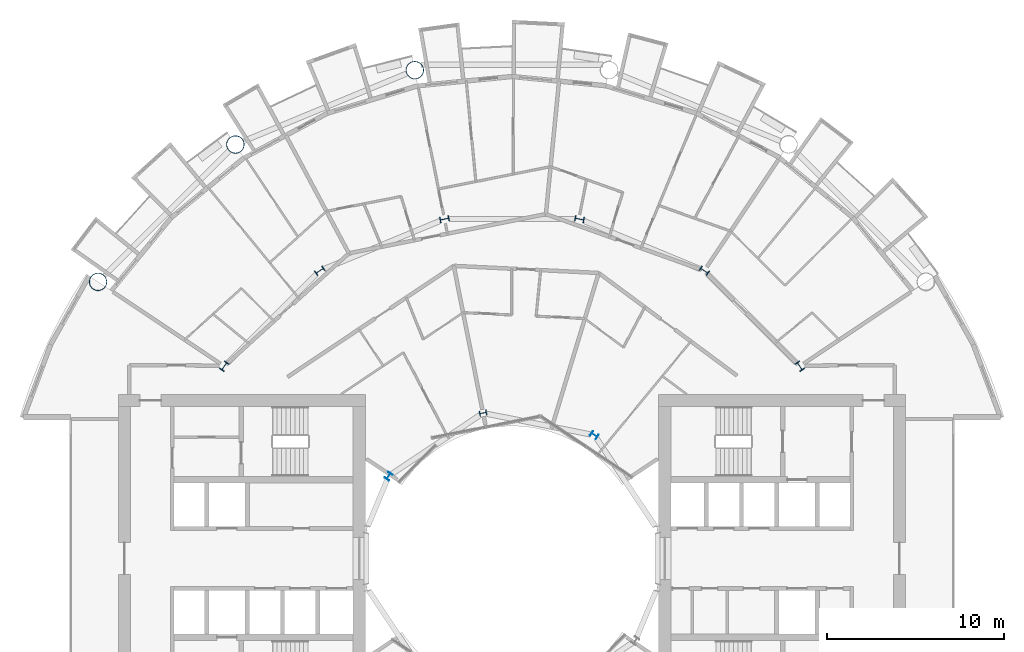
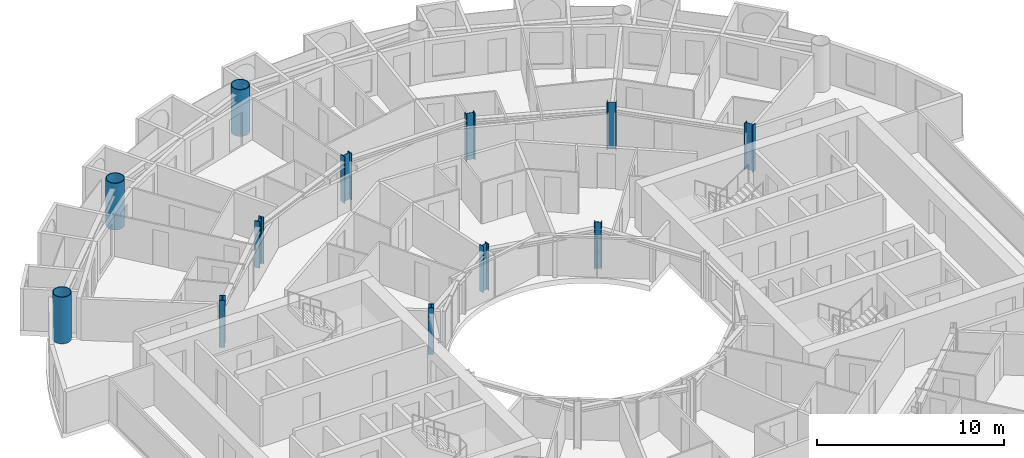
# One storey, part 3 of 26: 12 columns.
"""IFC4 building model written with IfcOpenShell, lengths in metres."""

from ifc_helpers import new_model, si_unit, direction, frame, origin, origin_2d, place, context, subcontext, project, spatial, hollow_circle, i_section, extrude, material, material_profile, profile_set, type_object, element, save


model = new_model("IFC4")

# Units and contexts
model_context = context("Model", 3, precision=1e-05, world=origin(), true_north=direction((0.0, 1.0)))
body_context = subcontext(model_context, "Body", "Model", "MODEL_VIEW")
ifc_project = project(units=[si_unit("LENGTHUNIT", "METRE"), si_unit("AREAUNIT", "SQUARE_METRE"), si_unit("VOLUMEUNIT", "CUBIC_METRE"), si_unit("PLANEANGLEUNIT", "RADIAN"), si_unit("MASSUNIT", "GRAM", prefix="KILO")], contexts=[model_context])

# Site, building, storey
site_placement = place(None, origin())
site = spatial("IfcSite", under=ifc_project, at=site_placement, CompositionType="ELEMENT")
building_placement = place(site_placement, origin())
building = spatial("IfcBuilding", under=site, at=building_placement, Name="Maasbend Ring Residences", CompositionType="ELEMENT")
storey_placement = place(building_placement, frame((0.0, 0.0, 66.64990234375)))
storey = spatial("IfcBuildingStorey", under=building, at=storey_placement, Name="L18", CompositionType="ELEMENT", Elevation=66.64990234375)

# Columns
ifc_material_1 = material(Name="Composite concrete-filled steel tube S460NH / C80/95", Category="concrete")
ifc_material_profile_1 = material_profile(ifc_material_1, hollow_circle(Radius=0.508056640625, WallThickness=0.0400390625, at=origin_2d()), Name="Composite tube column CHS 1016x40")
ifc_profile_set_1 = profile_set([ifc_material_profile_1], Name="Composite concrete-filled steel tube S460NH / C80/95")
column_type_1 = type_object("IfcColumnType", Name="Composite tube column CHS 1016x40", PredefinedType="COLUMN", material=ifc_profile_set_1)
for number, where, z_axis, x_axis, name in (
    (1, (-5.50146484375, 27.658203125, 0.0), (0.0, 0.0, 1.0), (1.0, 0.0, 0.0), "Outer column R5"),
    (2, (-15.6669921875, 23.447509765625, 0.0), (0.0, 0.0, 1.0), (1.0, 0.0, 0.0), "Outer column R6"),
    (3, (-23.447509765625, 15.6669921875, 0.0), (0.0, 0.0, 1.0), (1.0, 0.0, 0.0), "Outer column R7"),
):
    element("IfcColumn", number, at=place(storey_placement, frame(where, z_axis=z_axis, x_axis=x_axis)), inside=storey, type_object=column_type_1, Name=name, PredefinedType="COLUMN", context=body_context, shape_type="SweptSolid", body=[
        extrude(hollow_circle(Radius=0.508056640625, WallThickness=0.0400390625, at=origin_2d()), origin(), (0.0, 0.0, 1.0), 3.050048828125),
    ])
ifc_material_2 = material(Name="Steel S355J2", Category="steel")
ifc_material_profile_2 = material_profile(ifc_material_2, i_section(OverallWidth=0.300048828125, OverallDepth=0.39990234375, WebThickness=0.013427734375, FlangeThickness=0.02392578125, FilletRadius=0.027099609375, at=origin_2d()), Name="HEB 400")
ifc_profile_set_2 = profile_set([ifc_material_profile_2], Name="Steel S355J2")
column_type_2 = type_object("IfcColumnType", Name="Steel column HEB 400", PredefinedType="COLUMN", material=ifc_profile_set_2)
for number, where, z_axis, x_axis, name in (
    (4, (4.666748046875, 6.984375, 0.0), (0.0, 0.0, 1.0), (0.55557023302, 0.831469612303, 0.0), "Well ring column R3"),
    (5, (-1.638916015625, 8.238525390625, 0.0), (0.0, 0.0, 1.0), (-0.195090322016, 0.980785280403, 0.0), "Well ring column R5"),
    (6, (-6.984375, 4.666748046875, 0.0), (0.0, 0.0, 1.0), (-0.831469612303, 0.55557023302, 0.0), "Well ring column R7"),
):
    element("IfcColumn", number, at=place(storey_placement, frame(where, z_axis=z_axis, x_axis=x_axis)), inside=storey, type_object=column_type_2, Name=name, PredefinedType="COLUMN", context=body_context, shape_type="SweptSolid", body=[
        extrude(i_section(OverallWidth=0.300048828125, OverallDepth=0.39990234375, WebThickness=0.013427734375, FlangeThickness=0.02392578125, FilletRadius=0.027099609375, at=origin_2d()), origin(), (0.0, 0.0, 1.0), 3.050048828125),
    ])
ifc_material_3 = material(Name="Steel S460M", Category="steel")
ifc_material_profile_3 = material_profile(ifc_material_3, i_section(OverallWidth=0.305908203125, OverallDepth=0.52392578125, WebThickness=0.02099609375, FlangeThickness=0.0400390625, FilletRadius=0.027099609375, at=origin_2d()), Name="HEM 500")
ifc_profile_set_3 = profile_set([ifc_material_profile_3], Name="Steel S460M")
column_type_3 = type_object("IfcColumnType", Name="Steel column HEM 500", PredefinedType="COLUMN", material=ifc_profile_set_3)
for number, where, z_axis, x_axis, name in (
    (7, (16.296875, 10.88916015625, 0.0), (0.0, 0.0, 1.0), (0.831469612303, 0.55557023302, 0.0), "Corridor ring column R2"),
    (8, (10.88916015625, 16.296875, 0.0), (0.0, 0.0, 1.0), (0.55557023302, 0.831469612303, 0.0), "Corridor ring column R3"),
    (9, (3.82373046875, 19.223388671875, 0.0), (0.0, 0.0, 1.0), (0.195090322016, 0.980785280403, 0.0), "Corridor ring column R4"),
    (10, (-3.82373046875, 19.223388671875, 0.0), (0.0, 0.0, 1.0), (-0.195090322016, 0.980785280403, 0.0), "Corridor ring column R5"),
    (11, (-10.88916015625, 16.296875, 0.0), (0.0, 0.0, 1.0), (-0.55557023302, 0.831469612303, 0.0), "Corridor ring column R6"),
    (12, (-16.296875, 10.88916015625, 0.0), (0.0, 0.0, 1.0), (-0.831469612303, 0.55557023302, 0.0), "Corridor ring column R7"),
):
    element("IfcColumn", number, at=place(storey_placement, frame(where, z_axis=z_axis, x_axis=x_axis)), inside=storey, type_object=column_type_3, Name=name, PredefinedType="COLUMN", context=body_context, shape_type="SweptSolid", body=[
        extrude(i_section(OverallWidth=0.305908203125, OverallDepth=0.52392578125, WebThickness=0.02099609375, FlangeThickness=0.0400390625, FilletRadius=0.027099609375, at=origin_2d()), origin(), (0.0, 0.0, 1.0), 3.050048828125),
    ])

save(model, "model.ifc")
